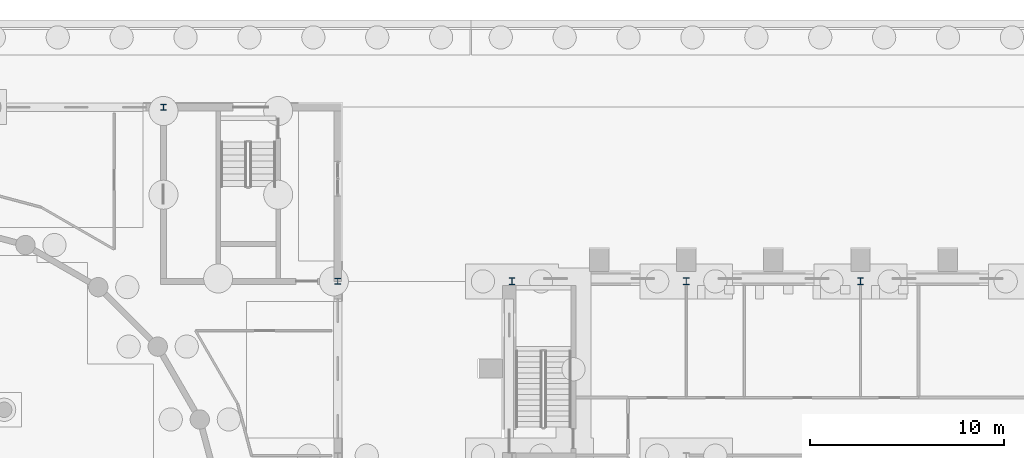
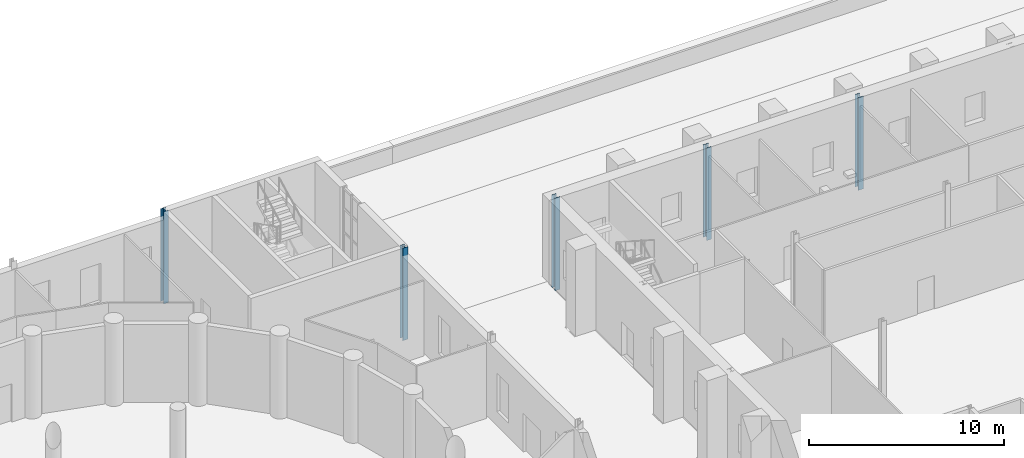
# One storey, part 34 of 168: 5 columns.
"""IFC4 building model written with IfcOpenShell, lengths in metres."""

import ifcopenshell
import ifcopenshell.guid

model = None  # the IFC model being written
_history = None  # IfcOwnerHistory: only IFC2X3 demands one
_inside = {}  # id of a spatial element -> (the spatial element, [elements in it])
_under = {}  # id of a project, library or spatial element -> (it, [spatial elements below it])
_declared = {}  # id of a project -> (the project, [libraries it declares])
_typed = {}  # id of a type object -> (the type object, [elements of that type])
_made_of = {}  # id of a material, layer set ... -> (it, [elements and type objects made of it])


def new_model(schema):
    """Start an empty IFC model of exactly this schema.

    Asked for "IFC4X3", IfcOpenShell would pick the latest addendum, in which some entities
    have other attributes; the version numbers below select the first issue.
    IFC2X3 requires an IfcOwnerHistory on every rooted entity: one is made here for all.
    """
    global model, _history
    if schema == "IFC4X3":
        model = ifcopenshell.file(schema_version=(4, 3, 0, 0))
    else:
        model = ifcopenshell.file(schema=schema)
    _inside.clear()
    _under.clear()
    _declared.clear()
    _typed.clear()
    _made_of.clear()
    _history = None
    if model.schema == "IFC2X3":
        org = make("IfcOrganization", Name="unknown")
        user = make(
            "IfcPersonAndOrganization",
            ThePerson=make("IfcPerson", FamilyName="unknown"),
            TheOrganization=org,
        )
        app = make(
            "IfcApplication",
            ApplicationDeveloper=org,
            Version="unknown",
            ApplicationFullName="unknown",
            ApplicationIdentifier="unknown",
        )
        _history = make(
            "IfcOwnerHistory",
            OwningUser=user,
            OwningApplication=app,
            ChangeAction="ADDED",
            CreationDate=0,
        )
    return model


def make(cls, **values):
    """One entity of the class cls with the attributes given. An attribute that is None is left unset."""
    return model.create_entity(
        cls, **{name: value for name, value in values.items() if value is not None}
    )


def rooted(cls, **values):
    """An entity with a GlobalId (a new one), such as an element, a storey or a relation."""
    return make(cls, GlobalId=ifcopenshell.guid.new(), OwnerHistory=_history, **values)


def si_unit(unit_type, name, prefix=None):
    """IfcSIUnit, for example si_unit("LENGTHUNIT", "METRE", prefix="MILLI")."""
    return make("IfcSIUnit", UnitType=unit_type, Prefix=prefix, Name=name)


def assignment(units):
    """IfcUnitAssignment: the units of a project."""
    return None if units is None else make("IfcUnitAssignment", Units=units)


def point(xyz):
    """IfcCartesianPoint."""
    return None if xyz is None else make("IfcCartesianPoint", Coordinates=xyz)


def direction(xyz):
    """IfcDirection."""
    return None if xyz is None else make("IfcDirection", DirectionRatios=xyz)


def frame(location, z_axis=None, x_axis=None):
    """IfcAxis2Placement3D, a coordinate frame: its origin and axes. An axis left out is left unset."""
    return make(
        "IfcAxis2Placement3D",
        Location=point(location),
        Axis=direction(z_axis),
        RefDirection=direction(x_axis),
    )


def frame_2d(location, x_axis=None):
    """IfcAxis2Placement2D, a coordinate frame in the plane: its origin and x axis."""
    return make(
        "IfcAxis2Placement2D", Location=point(location), RefDirection=direction(x_axis)
    )


def origin():
    """The frame at (0, 0, 0) with its axes left unset."""
    return frame((0.0, 0.0, 0.0))


def origin_2d():
    """The frame at (0, 0) in the plane with its x axis left unset."""
    return frame_2d((0.0, 0.0))


def place(relative_to, where):
    """IfcLocalPlacement: puts the frame where relative to a parent placement (None: the world)."""
    return make(
        "IfcLocalPlacement", PlacementRelTo=relative_to, RelativePlacement=where
    )


def context(
    kind, dimensions, precision=None, world=None, true_north=None, identifier=None
):
    """IfcGeometricRepresentationContext, for example the 3D "Model" context."""
    return make(
        "IfcGeometricRepresentationContext",
        ContextIdentifier=identifier,
        ContextType=kind,
        CoordinateSpaceDimension=dimensions,
        Precision=precision,
        WorldCoordinateSystem=world,
        TrueNorth=true_north,
    )


def subcontext(parent, identifier, kind, view, scale=None):
    """IfcGeometricRepresentationSubContext, for example "Body" below "Model"."""
    return make(
        "IfcGeometricRepresentationSubContext",
        ContextIdentifier=identifier,
        ContextType=kind,
        ParentContext=parent,
        TargetScale=scale,
        TargetView=view,
    )


def project(units=None, contexts=None):
    """IfcProject with its units and contexts."""
    return rooted(
        "IfcProject",
        Name="project",
        RepresentationContexts=contexts,
        UnitsInContext=assignment(units),
    )


def spatial(cls, under=None, at=None, **own):
    """A site, building, storey or space (cls), placed at a placement, below another one or the project."""
    s = rooted(cls, ObjectPlacement=at, **own)
    if under is not None:
        _under.setdefault(under.id(), (under, []))[1].append(s)
    return s


def profile(cls, at=None, kind="AREA", **sizes):
    """A parametric profile (cls). Its sizes go by their IFC names, for example OverallWidth=200.0."""
    return make(cls, ProfileType=kind, Position=at, **sizes)


def i_section(**sizes):
    """IfcIShapeProfileDef."""
    return profile("IfcIShapeProfileDef", **sizes)


def extrude(swept, where, along, depth):
    """IfcExtrudedAreaSolid: the profile swept, set in the frame where, extruded along a direction by depth."""
    return make(
        "IfcExtrudedAreaSolid",
        SweptArea=swept,
        Position=where,
        ExtrudedDirection=direction(along),
        Depth=depth,
    )


def shape(context_of_items, identifier, shape_type, items):
    """IfcShapeRepresentation: the items that make up one representation, for example the "Body"."""
    return make(
        "IfcShapeRepresentation",
        ContextOfItems=context_of_items,
        RepresentationIdentifier=identifier,
        RepresentationType=shape_type,
        Items=items,
    )


def material(Name=None, Category=None):
    """IfcMaterial."""
    return make("IfcMaterial", Name=Name, Category=Category)


def material_profile(
    of_material, cross_section, Name=None, Category=None, Priority=None
):
    """IfcMaterialProfile: a cross section and its material."""
    return make(
        "IfcMaterialProfile",
        Name=Name,
        Material=of_material,
        Profile=cross_section,
        Priority=Priority,
        Category=Category,
    )


def profile_set(profiles, Name=None, composite=None):
    """IfcMaterialProfileSet."""
    return make(
        "IfcMaterialProfileSet",
        Name=Name,
        MaterialProfiles=profiles,
        CompositeProfile=composite,
    )


def made_of(thing, what):
    """Note that an element or type object is made of a material, layer set ...; save() writes the relation."""
    if what is not None:
        _made_of.setdefault(what.id(), (what, []))[1].append(thing)
    return thing


def type_object(cls, material=None, **own):
    """A type object (cls), such as IfcWallType, which elements share."""
    return made_of(rooted(cls, **own), material)


def element(
    cls,
    number,
    at=None,
    inside=None,
    cuts=None,
    type_object=None,
    material=None,
    context=None,
    identifier="Body",
    shape_type=None,
    held_by="IfcProductDefinitionShape",
    body=None,
    shapes=None,
    **own,
):
    """One element of the class cls, such as IfcWall. Its Tag is "e" and its number.

    at: its placement. inside: the storey or other place that contains it. cuts: it is an
    opening in that element (IfcRelVoidsElement). A single representation is given by context,
    identifier, shape_type and body (its items); several are given by shapes. held_by: the class
    of the entity that holds the representations. save() writes the other relations.
    """
    e = rooted(cls, Tag="e%d" % number, ObjectPlacement=at, **own)
    if body is not None:
        shapes = [shape(context, identifier, shape_type, body)]
    if shapes is not None:
        e.Representation = make(held_by, Representations=shapes)
    if inside is not None:
        _inside.setdefault(inside.id(), (inside, []))[1].append(e)
    if cuts is not None:
        rooted(
            "IfcRelVoidsElement", RelatingBuildingElement=cuts, RelatedOpeningElement=e
        )
    if type_object is not None:
        _typed.setdefault(type_object.id(), (type_object, []))[1].append(e)
    return made_of(e, material)


def aggregate(whole, parts):
    """IfcRelAggregates: a whole, such as a stair, and the parts it consists of."""
    return rooted("IfcRelAggregates", RelatingObject=whole, RelatedObjects=parts)


def save(model, path):
    """Write the relations noted so far, then the file.

    IfcRelAggregates (storeys below a building ...), IfcRelContainedInSpatialStructure (elements
    in a storey), IfcRelDefinesByType, IfcRelAssociatesMaterial and IfcRelDeclares: one each for
    every whole, place, type object, material and project.
    """
    for whole, parts in _under.values():
        aggregate(whole, parts)
    for where, things in _inside.values():
        rooted(
            "IfcRelContainedInSpatialStructure",
            RelatedElements=things,
            RelatingStructure=where,
        )
    for kind, things in _typed.values():
        rooted("IfcRelDefinesByType", RelatedObjects=things, RelatingType=kind)
    for what, things in _made_of.values():
        rooted("IfcRelAssociatesMaterial", RelatedObjects=things, RelatingMaterial=what)
    for by, libraries in _declared.values():
        rooted("IfcRelDeclares", RelatingContext=by, RelatedDefinitions=libraries)
    model.write(path)


model = new_model("IFC4")

# Units and contexts
model_context = context("Model", 3, precision=1e-05, world=origin(), true_north=direction((0.0, 1.0)))
body_context = subcontext(model_context, "Body", "Model", "MODEL_VIEW")
ifc_project = project(units=[si_unit("LENGTHUNIT", "METRE"), si_unit("AREAUNIT", "SQUARE_METRE"), si_unit("VOLUMEUNIT", "CUBIC_METRE"), si_unit("PLANEANGLEUNIT", "RADIAN"), si_unit("MASSUNIT", "GRAM", prefix="KILO")], contexts=[model_context])

# Site, building, storey
site_placement = place(None, origin())
site = spatial("IfcSite", under=ifc_project, at=site_placement, CompositionType="ELEMENT")
building_placement = place(site_placement, origin())
building = spatial("IfcBuilding", under=site, at=building_placement, Name="Golden Quay Civic Hall", CompositionType="ELEMENT")
storey_placement = place(building_placement, origin())
storey = spatial("IfcBuildingStorey", under=building, at=storey_placement, Name="L00", CompositionType="ELEMENT", Elevation=0.0)

# Columns
ifc_material_1 = material(Name="Steel S355", Category="steel")
ifc_material_profile_1 = material_profile(ifc_material_1, i_section(OverallWidth=0.300048828125, OverallDepth=0.300048828125, WebThickness=0.010986328125, FlangeThickness=0.01904296875, FilletRadius=0.027099609375, at=origin_2d()), Name="HEB 300")
ifc_profile_set_1 = profile_set([ifc_material_profile_1], Name="Steel S355")
column_type_1 = type_object("IfcColumnType", Name="Steel column HEB 300", PredefinedType="COLUMN", material=ifc_profile_set_1)
for number, where, z_axis, x_axis, name in (
    (1, (99.0, 108.0, -0.60009765625), (0.0, 0.0, 1.0), (1.0, 0.0, 0.0), "Base column 12"),
    (2, (108.0, 99.0, -0.60009765625), (0.0, 0.0, 1.0), (1.0, 0.0, 0.0), "Base column 16"),
):
    element("IfcColumn", number, at=place(storey_placement, frame(where, z_axis=z_axis, x_axis=x_axis)), inside=storey, type_object=column_type_1, Name=name, PredefinedType="COLUMN", context=body_context, shape_type="SweptSolid", body=[
        extrude(i_section(OverallWidth=0.300048828125, OverallDepth=0.300048828125, WebThickness=0.010986328125, FlangeThickness=0.01904296875, FilletRadius=0.027099609375, at=origin_2d()), origin(), (0.0, 0.0, 1.0), 5.800048828125),
    ])
ifc_material_2 = material(Name="Steel S355", Category="steel")
ifc_material_profile_2 = material_profile(ifc_material_2, i_section(OverallWidth=0.300048828125, OverallDepth=0.360107421875, WebThickness=0.012451171875, FlangeThickness=0.0224609375, FilletRadius=0.027099609375, at=origin_2d()), Name="HEB 360")
ifc_profile_set_2 = profile_set([ifc_material_profile_2], Name="Steel S355")
column_type_2 = type_object("IfcColumnType", Name="Steel column HEB 360", PredefinedType="COLUMN", material=ifc_profile_set_2)
for number, where, z_axis, x_axis, name in (
    (3, (117.0, 99.0, -0.60009765625), (0.0, 0.0, 1.0), (1.0, 0.0, 0.0), "L00 column 117/99"),
    (4, (126.0, 99.0, -0.60009765625), (0.0, 0.0, 1.0), (1.0, 0.0, 0.0), "L00 column 126/99"),
    (5, (135.0, 99.0, -0.60009765625), (0.0, 0.0, 1.0), (1.0, 0.0, 0.0), "L00 column 135/99"),
):
    element("IfcColumn", number, at=place(storey_placement, frame(where, z_axis=z_axis, x_axis=x_axis)), inside=storey, type_object=column_type_2, Name=name, PredefinedType="COLUMN", context=body_context, shape_type="SweptSolid", body=[
        extrude(i_section(OverallWidth=0.300048828125, OverallDepth=0.360107421875, WebThickness=0.012451171875, FlangeThickness=0.0224609375, FilletRadius=0.027099609375, at=origin_2d()), origin(), (0.0, 0.0, 1.0), 5.800048828125),
    ])

save(model, "model.ifc")
